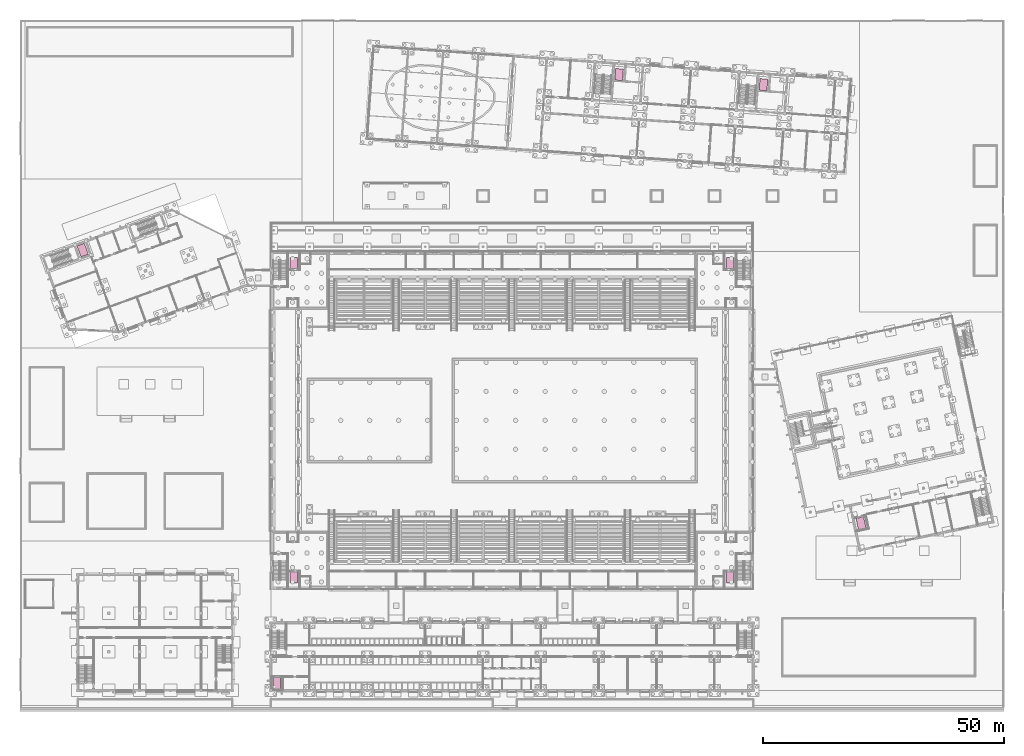
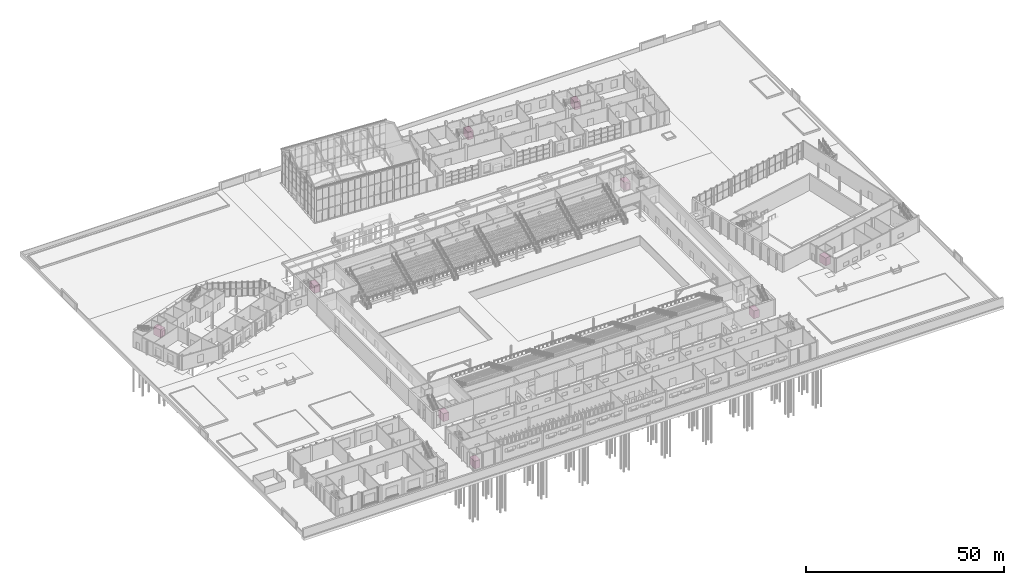
# One storey, part 157 of 157: 9 transport elements.
"""IFC4 building model written with IfcOpenShell, lengths in metres."""

from ifc_helpers import new_model, si_unit, direction, frame, origin, origin_2d, place, context, subcontext, project, spatial, rectangle, extrude, material, type_object, element, save


model = new_model("IFC4")

# Units and contexts
model_context = context("Model", 3, precision=1e-05, world=origin(), true_north=direction((0.0, 1.0)))
body_context = subcontext(model_context, "Body", "Model", "MODEL_VIEW")
ifc_project = project(units=[si_unit("LENGTHUNIT", "METRE"), si_unit("AREAUNIT", "SQUARE_METRE"), si_unit("VOLUMEUNIT", "CUBIC_METRE"), si_unit("PLANEANGLEUNIT", "RADIAN"), si_unit("MASSUNIT", "GRAM", prefix="KILO")], contexts=[model_context])

# Site, building, storey
site_placement = place(None, origin())
site = spatial("IfcSite", under=ifc_project, at=site_placement, CompositionType="ELEMENT")
building_placement = place(site_placement, origin())
building = spatial("IfcBuilding", under=site, at=building_placement, Name="Windward Yard Aquatics Centre", CompositionType="ELEMENT")
storey_placement = place(building_placement, origin())
storey = spatial("IfcBuildingStorey", under=building, at=storey_placement, Name="L00", CompositionType="ELEMENT", Elevation=0.0)

# Transport elements
ifc_material_1 = material(Name="Stainless steel car with glass back wall", Category="steel")
transport_element_type_1 = type_object("IfcTransportElementType", Name="C passenger lift 1600 kg", PredefinedType="ELEVATOR", material=ifc_material_1)
transport_element_1_placement = place(storey_placement, frame((53.25, 6.5, 0.0), z_axis=(0.0, 0.0, 1.0), x_axis=(1.0, 0.0, 0.0)))
element("IfcTransportElement", 1, at=transport_element_1_placement, inside=storey, type_object=transport_element_type_1, Name="Passenger lift LC1", PredefinedType="ELEVATOR", context=body_context, shape_type="SweptSolid", body=[
    extrude(rectangle(XDim=1.60009765625, YDim=2.39990234375, at=origin_2d()), origin(), (0.0, 0.0, 1.0), 2.39990234375),
])
transport_element_type_2 = type_object("IfcTransportElementType", Name="D passenger lift 1600 kg", PredefinedType="ELEVATOR", material=ifc_material_1)
transport_element_2_placement = place(storey_placement, frame((174.3662109375, 39.65625, 0.0), z_axis=(0.0, 0.0, 1.0), x_axis=(0.978147600734, 0.207911690818, 0.0)))
element("IfcTransportElement", 2, at=transport_element_2_placement, inside=storey, type_object=transport_element_type_2, Name="Passenger lift LV1", PredefinedType="ELEVATOR", context=body_context, shape_type="SweptSolid", body=[
    extrude(rectangle(XDim=1.60009765625, YDim=2.39990234375, at=origin_2d()), origin(), (0.0, 0.0, 1.0), 2.39990234375),
])
ifc_material_2 = material(Name="Stainless steel cabin", Category="steel")
transport_element_type_3 = type_object("IfcTransportElementType", Name="F passenger lift car 1600x2400", PredefinedType="ELEVATOR", material=ifc_material_2)
transport_element_3_placement = place(storey_placement, frame((12.995361328125, 96.298828125, 0.0), z_axis=(0.0, 0.0, 1.0), x_axis=(0.939692620786, 0.342020143326, 0.0)))
element("IfcTransportElement", 3, at=transport_element_3_placement, inside=storey, type_object=transport_element_type_3, Name="Passenger lift LF1", PredefinedType="ELEVATOR", context=body_context, shape_type="SweptSolid", body=[
    extrude(rectangle(XDim=1.60009765625, YDim=2.39990234375, at=origin_2d()), origin(), (0.0, 0.0, 1.0), 2.39990234375),
])
ifc_material_3 = material(Name="Stainless steel 1.4301", Category="steel")
transport_element_type_4 = type_object("IfcTransportElementType", Name="H Passenger Lift 1600 x 2400", PredefinedType="ELEVATOR", material=ifc_material_3)
for number, where, z_axis, x_axis, name in (
    (4, (56.75, 28.449951171875, 0.02001953125), (0.0, 0.0, 1.0), (1.0, 0.0, 0.0), "Passenger lift SW"),
    (5, (147.25, 28.449951171875, 0.02001953125), (0.0, 0.0, 1.0), (1.0, 0.0, 0.0), "Passenger lift SE"),
    (6, (56.75, 93.550048828125, 0.02001953125), (0.0, 0.0, 1.0), (1.0, 0.0, 0.0), "Passenger lift NW"),
    (7, (147.25, 93.550048828125, 0.02001953125), (0.0, 0.0, 1.0), (1.0, 0.0, 0.0), "Passenger lift NE"),
):
    element("IfcTransportElement", number, at=place(storey_placement, frame(where, z_axis=z_axis, x_axis=x_axis)), inside=storey, type_object=transport_element_type_4, Name=name, PredefinedType="ELEVATOR", context=body_context, shape_type="SweptSolid", body=[
        extrude(rectangle(XDim=1.60009765625, YDim=2.39990234375, at=origin_2d()), origin(), (0.0, 0.0, 1.0), 2.39990234375),
    ])
ifc_material_4 = material(Name="Stainless steel lift car", Category="steel")
transport_element_type_5 = type_object("IfcTransportElementType", Name="W lift car 1600x2400", PredefinedType="ELEVATOR", material=ifc_material_4)
for number, where, z_axis, x_axis, name in (
    (8, (124.206787109375, 132.688720703125, 0.0), (0.0, 0.0, 1.0), (0.99756405026, -0.069756473744, 0.0), "Passenger lift W"),
    (9, (154.1337890625, 130.595947265625, 0.0), (0.0, 0.0, 1.0), (0.99756405026, -0.069756473744, 0.0), "Passenger lift E"),
):
    element("IfcTransportElement", number, at=place(storey_placement, frame(where, z_axis=z_axis, x_axis=x_axis)), inside=storey, type_object=transport_element_type_5, Name=name, PredefinedType="ELEVATOR", context=body_context, shape_type="SweptSolid", body=[
        extrude(rectangle(XDim=1.60009765625, YDim=2.39990234375, at=origin_2d()), origin(), (0.0, 0.0, 1.0), 2.39990234375),
    ])

save(model, "model.ifc")
